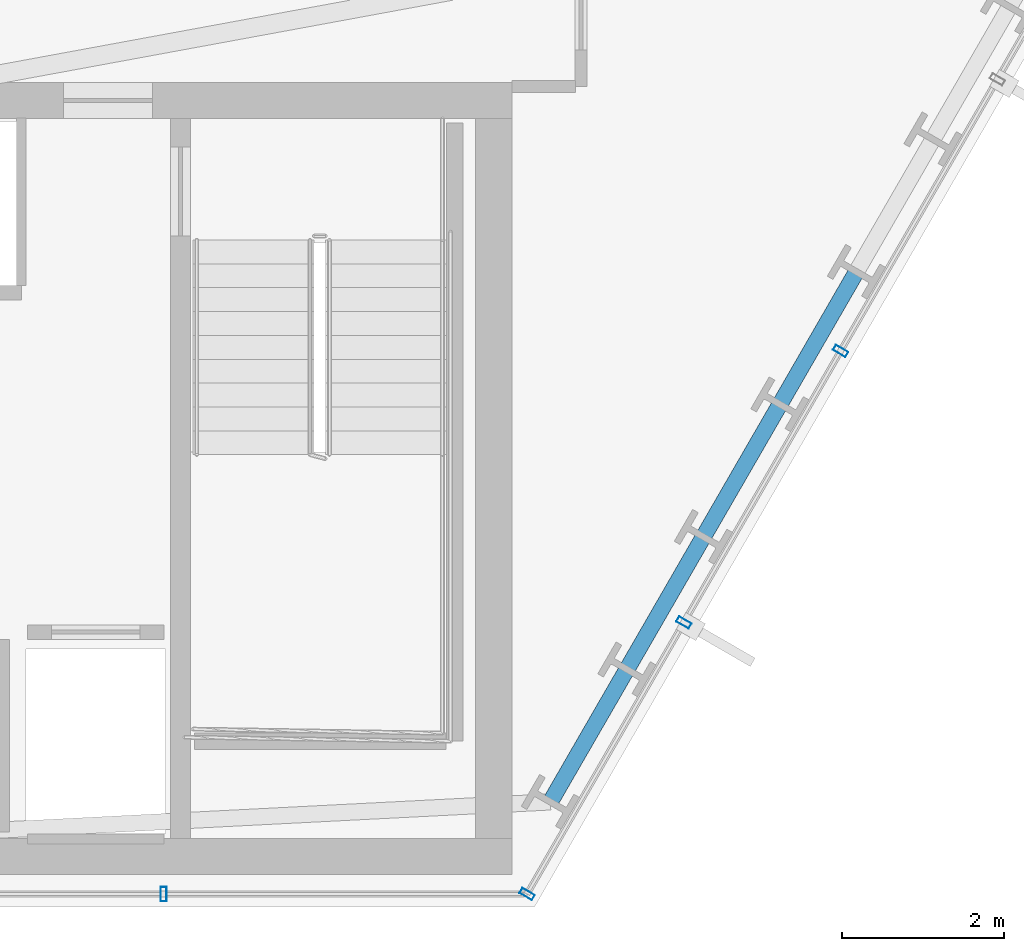
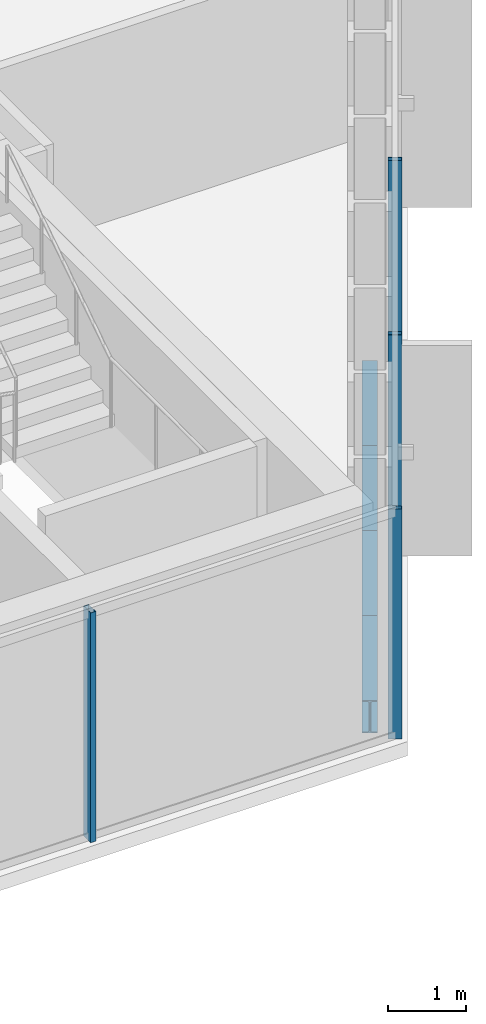
# One storey, part 15 of 32: 4 beams, 4 members, 2 elements without a shape of their own.
"""IFC4 building model written with IfcOpenShell, lengths in metres."""

from ifc_helpers import new_model, si_unit, direction, frame, origin, origin_2d, place, context, subcontext, project, spatial, hollow_rectangle, i_section, extrude, material, layer, layer_set, material_profile, profile_set, type_object, element, aggregate, save


model = new_model("IFC4")

# Units and contexts
model_context = context("Model", 3, precision=1e-05, world=origin(), true_north=direction((0.0, 1.0)))
body_context = subcontext(model_context, "Body", "Model", "MODEL_VIEW")
ifc_project = project(units=[si_unit("LENGTHUNIT", "METRE"), si_unit("AREAUNIT", "SQUARE_METRE"), si_unit("VOLUMEUNIT", "CUBIC_METRE"), si_unit("PLANEANGLEUNIT", "RADIAN"), si_unit("MASSUNIT", "GRAM", prefix="KILO")], contexts=[model_context])

# Site, building, storey
site_placement = place(None, origin())
site = spatial("IfcSite", under=ifc_project, at=site_placement, CompositionType="ELEMENT")
building_placement = place(site_placement, origin())
building = spatial("IfcBuilding", under=site, at=building_placement, Name="Ndaravel Arena Tower", CompositionType="ELEMENT")
storey_placement = place(building_placement, frame((0.0, 0.0, 58.800048828125)))
storey = spatial("IfcBuildingStorey", under=building, at=storey_placement, Name="L12", CompositionType="ELEMENT", Elevation=58.800048828125)

# Beams
ifc_material_1 = material(Name="Steel S355", Category="steel")
ifc_material_profile_1 = material_profile(ifc_material_1, i_section(OverallWidth=0.199951171875, OverallDepth=0.5, WebThickness=0.01025390625, FlangeThickness=0.01611328125, FilletRadius=0.02099609375, at=origin_2d()), Name="IPE 500")
ifc_profile_set_1 = profile_set([ifc_material_profile_1], Name="Steel S355")
beam_type = type_object("IfcBeamType", Name="BM-SPAN-IPE500", PredefinedType="SPANDREL", material=ifc_profile_set_1)
beam_1_placement = place(storey_placement, frame((58.0234375, 6.299560546875, -0.469970703125), z_axis=(0.50000898992, 0.86602021339, 0.0), x_axis=(-0.86602021339, 0.50000898992, 0.0)))
element("IfcBeam", 1, at=beam_1_placement, inside=storey, type_object=beam_type, Name="L12 Perimeter Spandrel Beam SP-02", PredefinedType="SPANDREL", context=body_context, shape_type="SweptSolid", body=[
    extrude(i_section(OverallWidth=0.199951171875, OverallDepth=0.5, WebThickness=0.01025390625, FlangeThickness=0.01611328125, FilletRadius=0.02099609375, at=origin_2d()), origin(), (0.0, 0.0, 1.0), 1.89306640625),
])
beam_2_placement = place(storey_placement, frame((58.969970703125, 7.93896484375, -0.469970703125), z_axis=(0.499968102766, 0.866043818878, 0.0), x_axis=(-0.866043818878, 0.499968102766, 0.0)))
element("IfcBeam", 2, at=beam_2_placement, inside=storey, type_object=beam_type, Name="L12 Perimeter Spandrel Beam SP-03", PredefinedType="SPANDREL", context=body_context, shape_type="SweptSolid", body=[
    extrude(i_section(OverallWidth=0.199951171875, OverallDepth=0.5, WebThickness=0.01025390625, FlangeThickness=0.01611328125, FilletRadius=0.02099609375, at=origin_2d()), origin(), (0.0, 0.0, 1.0), 1.892578125),
])
for number, where, z_axis, x_axis, name in (
    (3, (59.916259765625, 9.578125, -0.469970703125), (0.500064840575, 0.865987964824, 0.0), (-0.865987964824, 0.500064840575, 0.0), "L12 Perimeter Spandrel Beam SP-04"),
    (4, (60.86279296875, 11.21728515625, -0.469970703125), (0.499912255713, 0.866076057046, 0.0), (-0.866076057046, 0.499912255713, 0.0), "L12 Perimeter Spandrel Beam SP-05"),
):
    element("IfcBeam", number, at=place(storey_placement, frame(where, z_axis=z_axis, x_axis=x_axis)), inside=storey, type_object=beam_type, Name=name, PredefinedType="SPANDREL", context=body_context, shape_type="SweptSolid", body=[
        extrude(i_section(OverallWidth=0.199951171875, OverallDepth=0.5, WebThickness=0.01025390625, FlangeThickness=0.01611328125, FilletRadius=0.02099609375, at=origin_2d()), origin(), (0.0, 0.0, 1.0), 1.892822265625),
    ])

# Curtain wall, member
ifc_material_2 = material(Name="Aluminium", Category="aluminium")
ifc_layer_1 = layer(ifc_material_2, 0.179931640625)
ifc_layer_set_1 = layer_set([ifc_layer_1], Name="Aluminium")
curtain_wall_type_1 = type_object("IfcCurtainWallType", Name="CW-SYS-03", PredefinedType="NOTDEFINED", material=ifc_layer_set_1)
curtain_wall_1_placement = place(storey_placement, origin())
curtain_wall_1 = element("IfcCurtainWall", 5, at=curtain_wall_1_placement, inside=storey, type_object=curtain_wall_type_1, Name="L12 Faceted Crystal Curtain Wall CW-L12-E01", PredefinedType="NOTDEFINED")
ifc_material_3 = material(Name="Aluminium", Category="aluminium")
ifc_material_profile_2 = material_profile(ifc_material_3, hollow_rectangle(XDim=0.074951171875, YDim=0.179931640625, WallThickness=0.00390625, at=origin_2d()), Name="CW MULLION 75x180x4")
ifc_profile_set_2 = profile_set([ifc_material_profile_2], Name="Aluminium")
member_type = type_object("IfcMemberType", Name="MEM-CW-MUL180", PredefinedType="MULLION", material=ifc_profile_set_2)
member_1_placement = place(storey_placement, frame((53.2392578125, 5.159912109375, 0.0), z_axis=(0.0, 0.0, 1.0), x_axis=(1.0, 0.0, 0.0)))
member_1 = element("IfcMember", 6, at=member_1_placement, type_object=member_type, Name="CW-L12-E01 Mullion 06", PredefinedType="MULLION", context=body_context, shape_type="SweptSolid", body=[
    extrude(hollow_rectangle(XDim=0.074951171875, YDim=0.179931640625, WallThickness=0.00390625, at=origin_2d()), origin(), (0.0, 0.0, 1.0), 3.579833984375),
])
aggregate(curtain_wall_1, [member_1])

# Curtain wall, members
ifc_material_4 = material(Name="Aluminium", Category="aluminium")
ifc_layer_2 = layer(ifc_material_4, 0.179931640625)
ifc_layer_set_2 = layer_set([ifc_layer_2], Name="Aluminium")
curtain_wall_type_2 = type_object("IfcCurtainWallType", Name="CW-SYS-01", PredefinedType="NOTDEFINED", material=ifc_layer_set_2)
curtain_wall_2_placement = place(storey_placement, origin())
curtain_wall_2 = element("IfcCurtainWall", 7, at=curtain_wall_2_placement, inside=storey, type_object=curtain_wall_type_2, Name="L12 Faceted Crystal Curtain Wall CW-L12-E02", PredefinedType="NOTDEFINED")
member_2_placement = place(storey_placement, frame((57.735107421875, 5.159912109375, 0.0), z_axis=(0.0, 0.0, 1.0), x_axis=(0.5, 0.866025403784, 0.0)))
member_2 = element("IfcMember", 8, at=member_2_placement, type_object=member_type, Name="CW-L12-E02 Mullion 00", PredefinedType="MULLION", context=body_context, shape_type="SweptSolid", body=[
    extrude(hollow_rectangle(XDim=0.074951171875, YDim=0.179931640625, WallThickness=0.00390625, at=origin_2d()), origin(), (0.0, 0.0, 1.0), 3.579833984375),
])
member_3_placement = place(storey_placement, frame((59.674072265625, 8.5185546875, 0.0), z_axis=(0.0, 0.0, 1.0), x_axis=(0.5, 0.866025403784, 0.0)))
member_3 = element("IfcMember", 9, at=member_3_placement, type_object=member_type, Name="CW-L12-E02 Mullion 01", PredefinedType="MULLION", context=body_context, shape_type="SweptSolid", body=[
    extrude(hollow_rectangle(XDim=0.074951171875, YDim=0.179931640625, WallThickness=0.00390625, at=origin_2d()), origin(), (0.0, 0.0, 1.0), 3.579833984375),
])
member_4_placement = place(storey_placement, frame((61.613037109375, 11.876953125, 0.0), z_axis=(0.0, 0.0, 1.0), x_axis=(0.5, 0.866025403784, 0.0)))
member_4 = element("IfcMember", 10, at=member_4_placement, type_object=member_type, Name="CW-L12-E02 Mullion 02", PredefinedType="MULLION", context=body_context, shape_type="SweptSolid", body=[
    extrude(hollow_rectangle(XDim=0.074951171875, YDim=0.179931640625, WallThickness=0.00390625, at=origin_2d()), origin(), (0.0, 0.0, 1.0), 3.579833984375),
])
aggregate(curtain_wall_2, [member_2, member_3, member_4])

save(model, "model.ifc")
